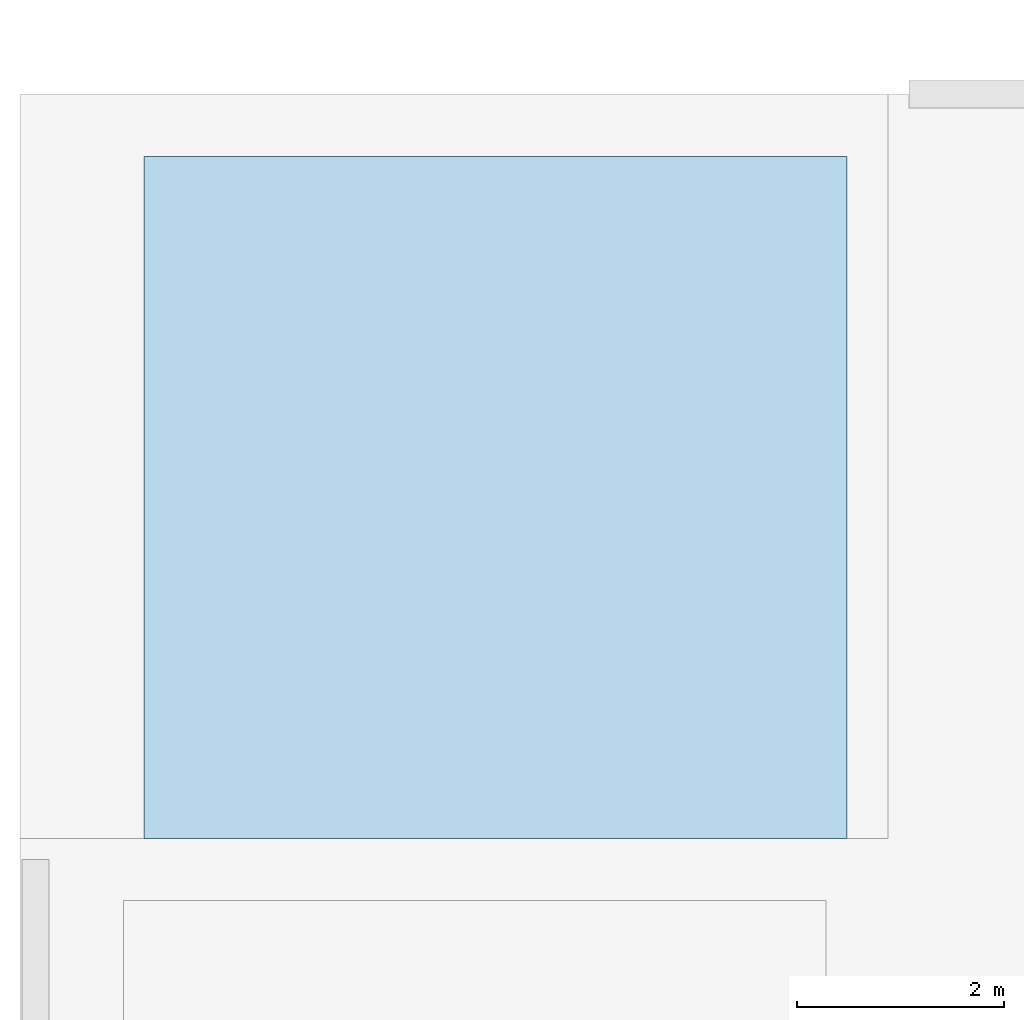
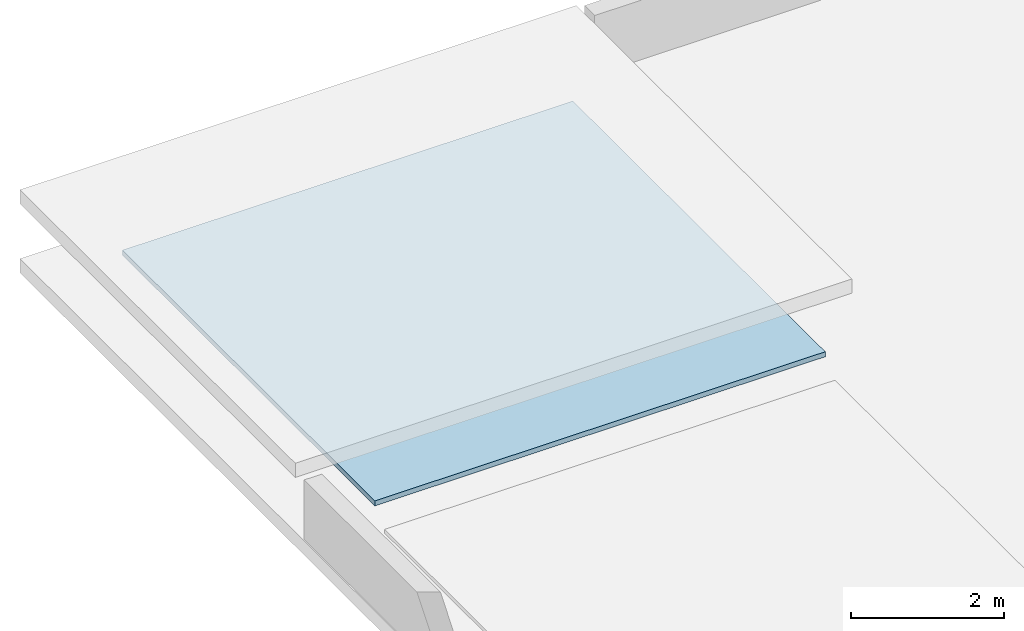
# One storey, part 16 of 20: 1 roof.
"""IFC4 building model written with IfcOpenShell, lengths in metres."""

from ifc_helpers import new_model, si_unit, derived_unit, direction, frame, origin, place, context, subcontext, project, spatial, polyline, outline, extrude, material, type_object, element, save


model = new_model("IFC4")

# Units and contexts
model_context = context("Model", 3, precision=1e-05, world=origin(), true_north=direction((0.0, 1.0)))
body_context = subcontext(model_context, "Body", "Model", "MODEL_VIEW")
ifc_project = project(units=[si_unit("LENGTHUNIT", "METRE"), si_unit("AREAUNIT", "SQUARE_METRE"), si_unit("VOLUMEUNIT", "CUBIC_METRE"), si_unit("PLANEANGLEUNIT", "RADIAN"), si_unit("MASSUNIT", "GRAM", prefix="KILO"), derived_unit("THERMALTRANSMITTANCEUNIT", [(si_unit("POWERUNIT", "WATT"), 1), (si_unit("AREAUNIT", "SQUARE_METRE"), -1), (si_unit("THERMODYNAMICTEMPERATUREUNIT", "KELVIN"), -1)])], contexts=[model_context])

# Site, building, storey
site_placement = place(None, origin())
site = spatial("IfcSite", under=ifc_project, at=site_placement, CompositionType="ELEMENT")
building_placement = place(site_placement, origin())
building = spatial("IfcBuilding", under=site, at=building_placement, Name="Yasenodar Specialist Clinic", CompositionType="ELEMENT")
storey_placement = place(building_placement, frame((0.0, 0.0, 25.35009765625)))
storey = spatial("IfcBuildingStorey", under=building, at=storey_placement, Name="L06", CompositionType="ELEMENT", Elevation=25.35009765625)

# Roof
ifc_material = material(Name="Standing-Seam Zinc and Steel S355", Category="steel")
roof_type = type_object("IfcRoofType", Name="RF-PAVILION", PredefinedType="PAVILION_ROOF", material=ifc_material)
roof_placement = place(storey_placement, origin())
element("IfcRoof", 1, at=roof_placement, inside=storey, type_object=roof_type, Name="Street Wing North Roof Cap", PredefinedType="PAVILION_ROOF", context=body_context, shape_type="SweptSolid", body=[
    extrude(outline(polyline([(1.199951171875, 97.199951171875), (8.0, 97.199951171875), (8.0, 103.800048828125), (1.199951171875, 103.800048828125), (1.199951171875, 97.199951171875)])), origin(), (0.0, 0.0, 1.0), 0.079833984375),
])

save(model, "model.ifc")
